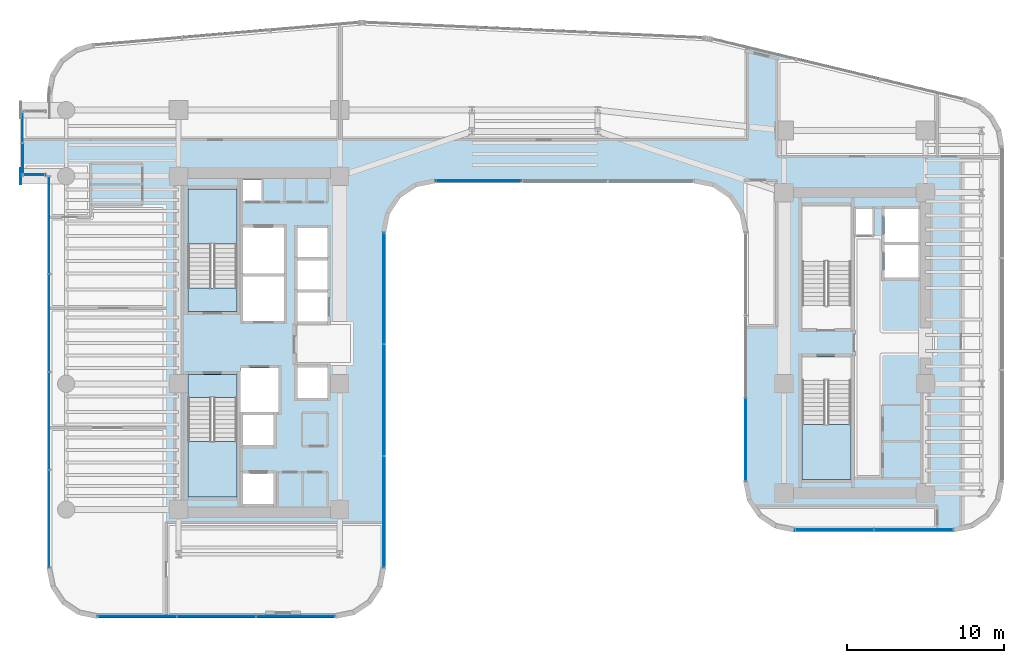
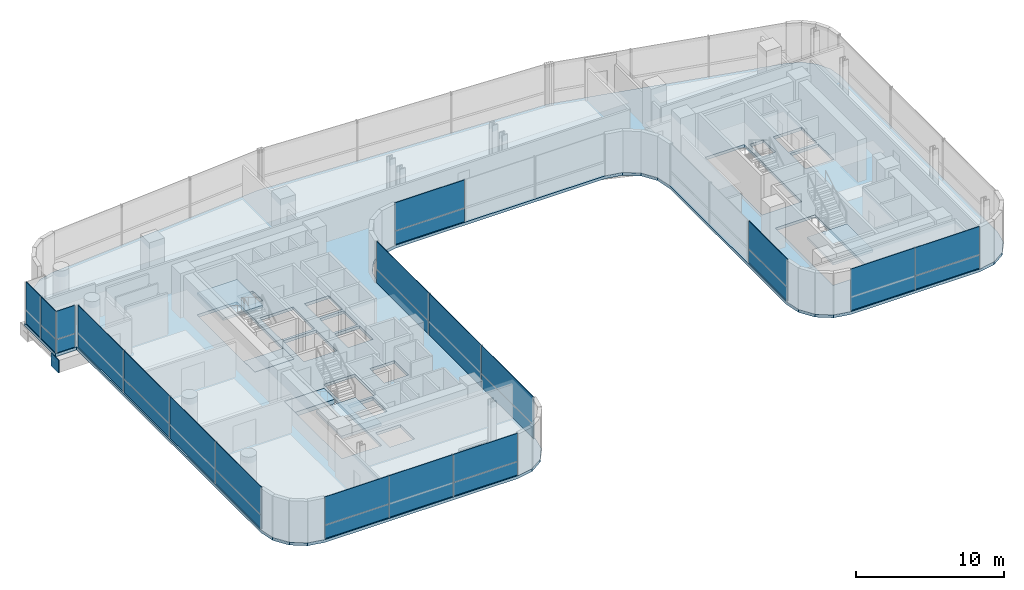
# One storey, part 25 of 35: 29 plates, 6 slabs, 11 elements without a shape of their own.
"""IFC4 building model written with IfcOpenShell, lengths in metres."""

from ifc_helpers import new_model, si_unit, direction, frame, origin, origin_2d, place, context, subcontext, project, spatial, polyline, rectangle, outline, extrude, source, transform, mapped, material, layer, layer_set, type_object, element, aggregate, save


model = new_model("IFC4")

# Units and contexts
model_context = context("Model", 3, precision=1e-05, world=origin(), true_north=direction((0.0, 1.0)))
body_context = subcontext(model_context, "Body", "Model", "MODEL_VIEW")
ifc_project = project(units=[si_unit("LENGTHUNIT", "METRE"), si_unit("AREAUNIT", "SQUARE_METRE"), si_unit("VOLUMEUNIT", "CUBIC_METRE"), si_unit("PLANEANGLEUNIT", "RADIAN"), si_unit("MASSUNIT", "GRAM", prefix="KILO")], contexts=[model_context])

# Site, building, storey
site_placement = place(None, origin())
site = spatial("IfcSite", under=ifc_project, at=site_placement, CompositionType="ELEMENT")
building_placement = place(site_placement, origin())
building = spatial("IfcBuilding", under=site, at=building_placement, Name="Valdorenza Pilgrim Sanctuary Tower", CompositionType="ELEMENT")
storey_placement = place(building_placement, frame((0.0, 0.0, 124.199951171875)))
storey = spatial("IfcBuildingStorey", under=building, at=storey_placement, Name="L31", CompositionType="ELEMENT", Elevation=124.199951171875)

# Slab
ifc_material_1 = material(Name="Concrete C40/50", Category="concrete")
ifc_layer_1 = layer(ifc_material_1, 0.239990234375, Name="Concrete C40/50")
ifc_layer_set_1 = layer_set([ifc_layer_1], Name="Concrete C40/50")
slab_type_1 = type_object("IfcSlabType", Name="SLAB-FLR-220", PredefinedType="FLOOR", material=ifc_layer_set_1)
slab_1_placement = place(storey_placement, frame((0.0, 0.0, -0.239990234375)))
element("IfcSlab", 1, at=slab_1_placement, inside=storey, type_object=slab_type_1, Name="L31 Structural Floor Slab 1", PredefinedType="FLOOR", context=body_context, shape_type="SweptSolid", body=[
    extrude(outline(polyline([(-30.78173828125, 17.022216796875), (-30.156494140625, 18.025390625), (-29.2099609375, 18.733154296875), (-28.071044921875, 19.049072265625), (-11.2080078125, 20.482421875), (-11.10400390625, 20.489501953125), (-10.895751953125, 20.49365234375), (10.6962890625, 19.513916015625), (10.847412109375, 19.50341796875), (10.998046875, 19.485595703125), (11.147705078125, 19.4609375), (11.2958984375, 19.42919921875), (27.344970703125, 15.587646484375), (28.323974609375, 15.17138671875), (29.1123046875, 14.45751953125), (29.623291015625, 13.5244140625), (29.800048828125, 12.4755859375), (29.800048828125, -8.800048828125), (29.556396484375, -10.024658203125), (28.86279296875, -11.062744140625), (27.82470703125, -11.75634765625), (26.60009765625, -12.0), (16.5, -12.0), (15.275390625, -11.75634765625), (14.2373046875, -11.062744140625), (13.543701171875, -10.024658203125), (13.300048828125, -8.800048828125), (13.300048828125, 7.0), (13.056396484375, 8.224609375), (12.36279296875, 9.2626953125), (11.32470703125, 9.956298828125), (10.10009765625, 10.199951171875), (-6.300048828125, 10.199951171875), (-7.524658203125, 9.956298828125), (-8.562744140625, 9.2626953125), (-9.25634765625, 8.224609375), (-9.5, 7.0), (-9.5, -14.300048828125), (-9.74365234375, -15.524658203125), (-10.437255859375, -16.562744140625), (-11.475341796875, -17.25634765625), (-12.699951171875, -17.5), (-27.800048828125, -17.5), (-29.024658203125, -17.25634765625), (-30.062744140625, -16.562744140625), (-30.75634765625, -15.524658203125), (-31.0, -14.300048828125), (-31.0, 10.60009765625), (-32.64990234375, 10.60009765625), (-32.64990234375, 14.800048828125), (-31.0, 14.800048828125), (-31.0, 15.860595703125), (-30.78173828125, 17.022216796875)]), holes=[polyline([(-16.60009765625, -10.25), (-16.60009765625, -8.300048828125), (-18.550048828125, -8.300048828125), (-18.550048828125, -10.25), (-16.60009765625, -10.25)]), polyline([(-22.050048828125, -9.800048828125), (-18.93994140625, -9.800048828125), (-18.93994140625, -3.485107421875), (-18.93994140625, -2.0), (-22.050048828125, -2.0), (-22.050048828125, -3.485107421875), (-22.050048828125, -9.800048828125)]), polyline([(-16.60009765625, -6.5), (-16.60009765625, -4.60009765625), (-18.550048828125, -4.60009765625), (-18.550048828125, -6.5), (-16.60009765625, -6.5)]), polyline([(-18.719970703125, -4.39990234375), (-16.300048828125, -4.39990234375), (-16.300048828125, -1.60009765625), (-18.719970703125, -1.60009765625), (-18.719970703125, -4.39990234375)]), polyline([(-13.179931640625, 1.35009765625), (-13.179931640625, 3.199951171875), (-15.10009765625, 3.199951171875), (-15.10009765625, 1.35009765625), (-13.179931640625, 1.35009765625)]), polyline([(-22.050048828125, 2.0), (-18.93994140625, 2.0), (-18.93994140625, 3.485107421875), (-18.93994140625, 9.800048828125), (-22.050048828125, 9.800048828125), (-22.050048828125, 3.485107421875), (-22.050048828125, 2.0)]), polyline([(-15.949951171875, 1.39990234375), (-15.949951171875, 4.22509765625), (-18.550048828125, 4.22509765625), (-18.550048828125, 1.39990234375), (-15.949951171875, 1.39990234375)]), polyline([(-18.550048828125, 4.425048828125), (-15.949951171875, 4.425048828125), (-15.949951171875, 7.35009765625), (-18.550048828125, 7.35009765625), (-18.550048828125, 4.425048828125)]), polyline([(-17.360107421875, 9.030029296875), (-17.360107421875, 10.35009765625), (-18.570068359375, 10.35009765625), (-18.570068359375, 9.030029296875), (-17.360107421875, 9.030029296875)]), polyline([(17.0, -8.699951171875), (20.110107421875, -8.699951171875), (20.110107421875, -2.385009765625), (20.110107421875, -0.89990234375), (17.0, -0.89990234375), (17.0, -2.385009765625), (17.0, -8.699951171875)]), polyline([(-13.179931640625, -3.5), (-13.179931640625, -1.550048828125), (-15.10009765625, -1.550048828125), (-15.10009765625, -3.5), (-13.179931640625, -3.5)]), polyline([(17.0, 0.89990234375), (20.110107421875, 0.89990234375), (20.110107421875, 2.385009765625), (20.110107421875, 8.699951171875), (17.0, 8.699951171875), (17.0, 2.385009765625), (17.0, 0.89990234375)]), polyline([(-13.179931640625, 3.39990234375), (-13.179931640625, 5.25), (-15.10009765625, 5.25), (-15.10009765625, 3.39990234375), (-13.179931640625, 3.39990234375)]), polyline([(22.25, 4.14990234375), (24.47998046875, 4.14990234375), (24.47998046875, 6.22509765625), (22.25, 6.22509765625), (22.25, 4.14990234375)]), polyline([(-13.179931640625, 5.449951171875), (-13.179931640625, 7.300048828125), (-15.10009765625, 7.300048828125), (-15.10009765625, 5.449951171875), (-13.179931640625, 5.449951171875)]), polyline([(22.25, 6.425048828125), (24.47998046875, 6.425048828125), (24.47998046875, 8.5), (22.25, 8.5), (22.25, 6.425048828125)]), polyline([(20.409912109375, 6.860107421875), (21.489990234375, 6.860107421875), (21.489990234375, 8.52001953125), (20.409912109375, 8.52001953125), (20.409912109375, 6.860107421875)])]), origin(), (0.0, 0.0, 1.0), 0.239990234375),
])

# Stair, slab
stair_type = type_object("IfcStairType", Name="STR-DOG-CORE", PredefinedType="HALF_TURN_STAIR", material=ifc_material_1)
stair_1_placement = place(storey_placement, origin())
stair_1 = element("IfcStair", 2, at=stair_1_placement, inside=storey, type_object=stair_type, Name="L31 ST-A1", PredefinedType="HALF_TURN_STAIR")
ifc_layer_2 = layer(ifc_material_1, 0.199951171875, Name="Concrete C40/50")
ifc_layer_set_2 = layer_set([ifc_layer_2], Name="Concrete C40/50")
slab_type_2 = type_object("IfcSlabType", Name="SLAB-STL-200", PredefinedType="LANDING", material=ifc_layer_set_2)
slab_2_placement = place(storey_placement, frame((0.0, 0.0, 1.650146484375)))
slab_2 = element("IfcSlab", 3, at=slab_2_placement, type_object=slab_type_2, Name="ST-A1 landing 1", PredefinedType="LANDING", context=body_context, shape_type="SweptSolid", body=[
    extrude(outline(polyline([(-18.93994140625, 6.280029296875), (-18.93994140625, 9.800048828125), (-22.050048828125, 9.800048828125), (-22.050048828125, 6.280029296875), (-18.93994140625, 6.280029296875)])), origin(), (0.0, 0.0, 1.0), 0.199951171875),
])
aggregate(stair_1, [slab_2])

stair_2_placement = place(storey_placement, origin())
stair_2 = element("IfcStair", 4, at=stair_2_placement, inside=storey, type_object=stair_type, Name="L31 ST-A2", PredefinedType="HALF_TURN_STAIR")
slab_3_placement = place(storey_placement, frame((0.0, 0.0, 1.650146484375)))
slab_3 = element("IfcSlab", 5, at=slab_3_placement, type_object=slab_type_2, Name="ST-A2 landing 1", PredefinedType="LANDING", context=body_context, shape_type="SweptSolid", body=[
    extrude(outline(polyline([(-22.050048828125, -6.280029296875), (-22.050048828125, -9.800048828125), (-18.93994140625, -9.800048828125), (-18.93994140625, -6.280029296875), (-22.050048828125, -6.280029296875)])), origin(), (0.0, 0.0, 1.0), 0.199951171875),
])
aggregate(stair_2, [slab_3])

stair_3_placement = place(storey_placement, origin())
stair_3 = element("IfcStair", 6, at=stair_3_placement, inside=storey, type_object=stair_type, Name="L31 ST-B2", PredefinedType="HALF_TURN_STAIR")
slab_4_placement = place(storey_placement, frame((0.0, 0.0, 1.650146484375)))
slab_4 = element("IfcSlab", 7, at=slab_4_placement, type_object=slab_type_2, Name="ST-B2 landing 1", PredefinedType="LANDING", context=body_context, shape_type="SweptSolid", body=[
    extrude(outline(polyline([(17.0, -5.179931640625), (17.0, -8.699951171875), (20.110107421875, -8.699951171875), (20.110107421875, -5.179931640625), (17.0, -5.179931640625)])), origin(), (0.0, 0.0, 1.0), 0.199951171875),
])
aggregate(stair_3, [slab_4])

# Slabs
ifc_material_2 = material(Name="Concrete C50/60", Category="concrete")
ifc_layer_3 = layer(ifc_material_2, 0.39990234375, Name="Concrete C50/60")
ifc_layer_set_3 = layer_set([ifc_layer_3], Name="Concrete C50/60")
slab_type_3 = type_object("IfcSlabType", Name="SLAB-TRF-400", PredefinedType="FLOOR", material=ifc_layer_set_3)
slab_5_placement = place(storey_placement, frame((0.0, 0.0, -0.35986328125)))
element("IfcSlab", 8, at=slab_5_placement, inside=storey, type_object=slab_type_3, Name="L31 ST-A1 Structural Stair Landing Bearing Slab", PredefinedType="FLOOR", context=body_context, shape_type="SweptSolid", body=[
    extrude(outline(polyline([(-22.050048828125, 2.0), (-18.93994140625, 2.0), (-18.93994140625, 3.485107421875), (-22.050048828125, 3.485107421875), (-22.050048828125, 2.0)])), origin(), (0.0, 0.0, 1.0), 0.35986328125),
])
slab_6_placement = place(storey_placement, frame((0.0, 0.0, -0.35986328125)))
element("IfcSlab", 9, at=slab_6_placement, inside=storey, type_object=slab_type_3, Name="L31 ST-A2 Structural Stair Landing Bearing Slab", PredefinedType="FLOOR", context=body_context, shape_type="SweptSolid", body=[
    extrude(outline(polyline([(-22.050048828125, -3.485107421875), (-18.93994140625, -3.485107421875), (-18.93994140625, -2.0), (-22.050048828125, -2.0), (-22.050048828125, -3.485107421875)])), origin(), (0.0, 0.0, 1.0), 0.35986328125),
])

# Plate
ifc_material_3 = material(Name="Steel ASTM A572 Grade 42", Category="steel")
ifc_layer_4 = layer(ifc_material_3, 0.06005859375, Name="Steel ASTM A572 Grade 42")
ifc_layer_set_4 = layer_set([ifc_layer_4], Name="Steel ASTM A572 Grade 42")
plate_type_1 = type_object("IfcPlateType", Name="PLT-CAP-60", PredefinedType="SHEET", material=ifc_layer_set_4)
shared_shape_1 = source(origin(), body_context, "Body", "SweptSolid", [
    extrude(rectangle(XDim=0.06005859375, YDim=1.0400390625, at=origin_2d()), origin(), (0.0, 0.0, 1.0), 1.0400390625),
])
plate_1_placement = place(storey_placement, frame((-32.679931640625, 10.60009765625, -1.260009765625), z_axis=(0.0, 0.0, 1.0), x_axis=(1.0, 0.0, 0.0)))
element("IfcPlate", 10, at=plate_1_placement, inside=storey, type_object=plate_type_1, Name="L31 BOX-WA-L31 Cantilever Tip End Cap S", PredefinedType="SHEET", context=body_context, shape_type="MappedRepresentation", body=[
    mapped(shared_shape_1, transform((0.0, 0.0, 0.0), x_axis=(1.0, 0.0, 0.0), y_axis=(0.0, 1.0, 0.0), z_axis=(0.0, 0.0, 1.0), scale=1.0)),
])

# Curtain wall, plates
ifc_material_4 = material(Name="Curtain-wall IGU glazing", Category="glass")
curtain_wall_type_1 = type_object("IfcCurtainWallType", Name="CW-SYS-02", PredefinedType="NOTDEFINED", material=ifc_material_4)
curtain_wall_1_placement = place(storey_placement, origin())
curtain_wall_1 = element("IfcCurtainWall", 11, at=curtain_wall_1_placement, inside=storey, type_object=curtain_wall_type_1, Name="L31 Curtain Wall CW-L31-1-36", PredefinedType="NOTDEFINED")
ifc_material_5 = material(Name="Honed travertine limestone", Category="masonry")
ifc_layer_5 = layer(ifc_material_5, 0.050048828125, Name="Honed travertine limestone")
ifc_layer_set_5 = layer_set([ifc_layer_5], Name="Honed travertine limestone")
plate_type_2 = type_object("IfcPlateType", Name="CW-SPN-TRV", PredefinedType="USERDEFINED", material=ifc_layer_set_5)
shared_shape_2 = source(origin(), body_context, "Body", "SweptSolid", [
    extrude(rectangle(XDim=5.453857421875, YDim=0.06005859375, at=origin_2d()), origin(), (0.0, 0.0, 1.0), 1.10009765625),
])
plate_2_placement = place(storey_placement, frame((-3.573974609375, 10.31005859375, 0.010009765625), z_axis=(0.0, 0.0, 1.0), x_axis=(-1.0, 0.0, 0.0)))
plate_2 = element("IfcPlate", 12, at=plate_2_placement, type_object=plate_type_2, Name="CW-L31-1-36 Travertine Spandrel 3", ObjectType="SPANDREL", PredefinedType="USERDEFINED", context=body_context, shape_type="MappedRepresentation", body=[
    mapped(shared_shape_2, transform((0.0, 0.0, 0.0), x_axis=(1.0, 0.0, 0.0), y_axis=(0.0, 1.0, 0.0), z_axis=(0.0, 0.0, 1.0), scale=1.0)),
])
ifc_material_6 = material(Name="Ceramic-fritted low-E IGU glazing", Category="glass")
ifc_layer_6 = layer(ifc_material_6, 0.035888671875, Name="Ceramic-fritted low-E IGU glazing")
ifc_layer_set_6 = layer_set([ifc_layer_6], Name="Ceramic-fritted low-E IGU glazing")
plate_type_3 = type_object("IfcPlateType", Name="CW-GLZ-IGU", PredefinedType="USERDEFINED", material=ifc_layer_set_6)
shared_shape_3 = source(origin(), body_context, "Body", "SweptSolid", [
    extrude(rectangle(XDim=5.453857421875, YDim=0.050048828125, at=origin_2d()), origin(), (0.0, 0.0, 1.0), 2.320068359375),
])
plate_3_placement = place(storey_placement, frame((-3.573974609375, 10.31005859375, 1.1298828125), z_axis=(0.0, 0.0, 1.0), x_axis=(-1.0, 0.0, 0.0)))
plate_3 = element("IfcPlate", 13, at=plate_3_placement, type_object=plate_type_3, Name="CW-L31-1-36 Facade Panel 3", ObjectType="GLAZING", PredefinedType="USERDEFINED", context=body_context, shape_type="MappedRepresentation", body=[
    mapped(shared_shape_3, transform((0.0, 0.0, 0.0), x_axis=(1.0, 0.0, 0.0), y_axis=(0.0, 1.0, 0.0), z_axis=(0.0, 0.0, 1.0), scale=1.0)),
])
aggregate(curtain_wall_1, [plate_2, plate_3])

curtain_wall_2_placement = place(storey_placement, origin())
curtain_wall_2 = element("IfcCurtainWall", 14, at=curtain_wall_2_placement, inside=storey, type_object=curtain_wall_type_1, Name="L31 Curtain Wall CW-L31-BOX-WA-L31-S", PredefinedType="NOTDEFINED")
shared_shape_4 = source(origin(), body_context, "Body", "SweptSolid", [
    extrude(rectangle(XDim=1.43994140625, YDim=0.06005859375, at=origin_2d()), origin(), (0.0, 0.0, 1.0), 1.10009765625),
])
plate_4_placement = place(storey_placement, frame((-31.840087890625, 10.679931640625, 0.010009765625), z_axis=(0.0, 0.0, 1.0), x_axis=(-1.0, 0.0, 0.0)))
plate_4 = element("IfcPlate", 15, at=plate_4_placement, type_object=plate_type_2, Name="CW-L31-BOX-WA-L31-S Travertine Spandrel 1", ObjectType="SPANDREL", PredefinedType="USERDEFINED", context=body_context, shape_type="MappedRepresentation", body=[
    mapped(shared_shape_4, transform((0.0, 0.0, 0.0), x_axis=(1.0, 0.0, 0.0), y_axis=(0.0, 1.0, 0.0), z_axis=(0.0, 0.0, 1.0), scale=1.0)),
])
shared_shape_5 = source(origin(), body_context, "Body", "SweptSolid", [
    extrude(rectangle(XDim=1.43994140625, YDim=0.050048828125, at=origin_2d()), origin(), (0.0, 0.0, 1.0), 2.320068359375),
])
plate_5_placement = place(storey_placement, frame((-31.840087890625, 10.679931640625, 1.1298828125), z_axis=(0.0, 0.0, 1.0), x_axis=(-1.0, 0.0, 0.0)))
plate_5 = element("IfcPlate", 16, at=plate_5_placement, type_object=plate_type_3, Name="CW-L31-BOX-WA-L31-S Facade Panel 1", ObjectType="GLAZING", PredefinedType="USERDEFINED", context=body_context, shape_type="MappedRepresentation", body=[
    mapped(shared_shape_5, transform((0.0, 0.0, 0.0), x_axis=(1.0, 0.0, 0.0), y_axis=(0.0, 1.0, 0.0), z_axis=(0.0, 0.0, 1.0), scale=1.0)),
])
aggregate(curtain_wall_2, [plate_4, plate_5])

curtain_wall_3_placement = place(storey_placement, origin())
curtain_wall_3 = element("IfcCurtainWall", 17, at=curtain_wall_3_placement, inside=storey, type_object=curtain_wall_type_1, Name="L31 Curtain Wall CW-L31-BOX-WA-L31-F", PredefinedType="NOTDEFINED")
shared_shape_6 = source(origin(), body_context, "Body", "SweptSolid", [
    extrude(rectangle(XDim=2.0, YDim=0.06005859375, at=origin_2d()), origin(), (0.0, 0.0, 1.0), 1.10009765625),
])
plate_6_placement = place(storey_placement, frame((-32.570068359375, 11.68994140625, 0.010009765625), z_axis=(0.0, 0.0, 1.0), x_axis=(0.0, 1.0, 0.0)))
plate_6 = element("IfcPlate", 18, at=plate_6_placement, type_object=plate_type_2, Name="CW-L31-BOX-WA-L31-F Travertine Spandrel 1", ObjectType="SPANDREL", PredefinedType="USERDEFINED", context=body_context, shape_type="MappedRepresentation", body=[
    mapped(shared_shape_6, transform((0.0, 0.0, 0.0), x_axis=(1.0, 0.0, 0.0), y_axis=(0.0, 1.0, 0.0), z_axis=(0.0, 0.0, 1.0), scale=1.0)),
])
shared_shape_7 = source(origin(), body_context, "Body", "SweptSolid", [
    extrude(rectangle(XDim=2.0, YDim=0.050048828125, at=origin_2d()), origin(), (0.0, 0.0, 1.0), 2.320068359375),
])
plate_7_placement = place(storey_placement, frame((-32.570068359375, 11.68994140625, 1.1298828125), z_axis=(0.0, 0.0, 1.0), x_axis=(0.0, 1.0, 0.0)))
plate_7 = element("IfcPlate", 19, at=plate_7_placement, type_object=plate_type_3, Name="CW-L31-BOX-WA-L31-F Facade Panel 1", ObjectType="GLAZING", PredefinedType="USERDEFINED", context=body_context, shape_type="MappedRepresentation", body=[
    mapped(shared_shape_7, transform((0.0, 0.0, 0.0), x_axis=(1.0, 0.0, 0.0), y_axis=(0.0, 1.0, 0.0), z_axis=(0.0, 0.0, 1.0), scale=1.0)),
])
shared_shape_8 = source(origin(), body_context, "Body", "SweptSolid", [
    extrude(rectangle(XDim=2.0, YDim=0.050048828125, at=origin_2d()), origin(), (0.0, 0.0, 1.0), 3.43994140625),
])
plate_8_placement = place(storey_placement, frame((-32.570068359375, 13.7099609375, 0.010009765625), z_axis=(0.0, 0.0, 1.0), x_axis=(0.0, 1.0, 0.0)))
plate_8 = element("IfcPlate", 20, at=plate_8_placement, type_object=plate_type_3, Name="CW-L31-BOX-WA-L31-F Full-Height Facade Panel 2", ObjectType="GLAZING", PredefinedType="USERDEFINED", context=body_context, shape_type="MappedRepresentation", body=[
    mapped(shared_shape_8, transform((0.0, 0.0, 0.0), x_axis=(1.0, 0.0, 0.0), y_axis=(0.0, 1.0, 0.0), z_axis=(0.0, 0.0, 1.0), scale=1.0)),
])
aggregate(curtain_wall_3, [plate_6, plate_7, plate_8])

# Curtain wall, plate
curtain_wall_type_2 = type_object("IfcCurtainWallType", Name="CW-SYS-03", PredefinedType="NOTDEFINED", material=ifc_material_4)
curtain_wall_4_placement = place(storey_placement, origin())
curtain_wall_4 = element("IfcCurtainWall", 21, at=curtain_wall_4_placement, inside=storey, type_object=curtain_wall_type_2, Name="L31 Curtain Wall CW-L31-1-26", PredefinedType="NOTDEFINED")
shared_shape_9 = source(origin(), body_context, "Body", "SweptSolid", [
    extrude(rectangle(XDim=5.019287109375, YDim=0.06005859375, at=origin_2d()), origin(), (0.0, 0.0, 1.0), 1.10009765625),
])
plate_9_placement = place(storey_placement, frame((24.069580078125, -11.889892578125, 0.010009765625), z_axis=(0.0, 0.0, 1.0), x_axis=(-1.0, 0.0, 0.0)))
plate_9 = element("IfcPlate", 22, at=plate_9_placement, type_object=plate_type_2, Name="CW-L31-1-26 Travertine Spandrel 1", ObjectType="SPANDREL", PredefinedType="USERDEFINED", context=body_context, shape_type="MappedRepresentation", body=[
    mapped(shared_shape_9, transform((0.0, 0.0, 0.0), x_axis=(1.0, 0.0, 0.0), y_axis=(0.0, 1.0, 0.0), z_axis=(0.0, 0.0, 1.0), scale=1.0)),
])

curtain_wall_5_placement = place(storey_placement, origin())
curtain_wall_5 = element("IfcCurtainWall", 23, at=curtain_wall_5_placement, inside=storey, type_object=curtain_wall_type_2, Name="L31 Curtain Wall CW-L31-1-31", PredefinedType="NOTDEFINED")
shared_shape_10 = source(origin(), body_context, "Body", "SweptSolid", [
    extrude(rectangle(XDim=5.24658203125, YDim=0.06005859375, at=origin_2d()), origin(), (0.0, 0.0, 1.0), 1.10009765625),
])
plate_10_placement = place(storey_placement, frame((13.409912109375, -6.156005859375, 0.010009765625), z_axis=(0.0, 0.0, 1.0), x_axis=(0.0, 1.0, 0.0)))
plate_10 = element("IfcPlate", 24, at=plate_10_placement, type_object=plate_type_2, Name="CW-L31-1-31 Travertine Spandrel 1", ObjectType="SPANDREL", PredefinedType="USERDEFINED", context=body_context, shape_type="MappedRepresentation", body=[
    mapped(shared_shape_10, transform((0.0, 0.0, 0.0), x_axis=(1.0, 0.0, 0.0), y_axis=(0.0, 1.0, 0.0), z_axis=(0.0, 0.0, 1.0), scale=1.0)),
])

# Curtain wall, plates
curtain_wall_6_placement = place(storey_placement, origin())
curtain_wall_6 = element("IfcCurtainWall", 25, at=curtain_wall_6_placement, inside=storey, type_object=curtain_wall_type_1, Name="L31 Curtain Wall CW-L31-1-41", PredefinedType="NOTDEFINED")
shared_shape_11 = source(origin(), body_context, "Body", "SweptSolid", [
    extrude(rectangle(XDim=7.080078125, YDim=0.06005859375, at=origin_2d()), origin(), (0.0, 0.0, 1.0), 1.10009765625),
])
plate_11_placement = place(storey_placement, frame((-9.610107421875, 3.460693359375, 0.010009765625), z_axis=(0.0, 0.0, 1.0), x_axis=(0.0, -1.0, 0.0)))
plate_11 = element("IfcPlate", 26, at=plate_11_placement, type_object=plate_type_2, Name="CW-L31-1-41 Travertine Spandrel 1", ObjectType="SPANDREL", PredefinedType="USERDEFINED", context=body_context, shape_type="MappedRepresentation", body=[
    mapped(shared_shape_11, transform((0.0, 0.0, 0.0), x_axis=(1.0, 0.0, 0.0), y_axis=(0.0, 1.0, 0.0), z_axis=(0.0, 0.0, 1.0), scale=1.0)),
])
plate_12_placement = place(storey_placement, frame((-9.610107421875, -10.7392578125, 0.010009765625), z_axis=(0.0, 0.0, 1.0), x_axis=(0.0, -1.0, 0.0)))
plate_12 = element("IfcPlate", 27, at=plate_12_placement, type_object=plate_type_2, Name="CW-L31-1-41 Travertine Spandrel 3", ObjectType="SPANDREL", PredefinedType="USERDEFINED", context=body_context, shape_type="MappedRepresentation", body=[
    mapped(shared_shape_11, transform((0.0, 0.0, 0.0), x_axis=(1.0, 0.0, 0.0), y_axis=(0.0, 1.0, 0.0), z_axis=(0.0, 0.0, 1.0), scale=1.0)),
])

# Plate
shared_shape_12 = source(origin(), body_context, "Body", "SweptSolid", [
    extrude(rectangle(XDim=5.019287109375, YDim=0.050048828125, at=origin_2d()), origin(), (0.0, 0.0, 1.0), 2.320068359375),
])
plate_13_placement = place(storey_placement, frame((24.069580078125, -11.889892578125, 1.1298828125), z_axis=(0.0, 0.0, 1.0), x_axis=(-1.0, 0.0, 0.0)))
plate_13 = element("IfcPlate", 28, at=plate_13_placement, type_object=plate_type_3, Name="CW-L31-1-26 Facade Panel 1", ObjectType="GLAZING", PredefinedType="USERDEFINED", context=body_context, shape_type="MappedRepresentation", body=[
    mapped(shared_shape_12, transform((0.0, 0.0, 0.0), x_axis=(1.0, 0.0, 0.0), y_axis=(0.0, 1.0, 0.0), z_axis=(0.0, 0.0, 1.0), scale=1.0)),
])

shared_shape_13 = source(origin(), body_context, "Body", "SweptSolid", [
    extrude(rectangle(XDim=5.019287109375, YDim=0.050048828125, at=origin_2d()), origin(), (0.0, 0.0, 1.0), 3.43994140625),
])
plate_14_placement = place(storey_placement, frame((19.030517578125, -11.889892578125, 0.010009765625), z_axis=(0.0, 0.0, 1.0), x_axis=(-1.0, 0.0, 0.0)))
plate_14 = element("IfcPlate", 29, at=plate_14_placement, type_object=plate_type_3, Name="CW-L31-1-26 Full-Height Facade Panel 2", ObjectType="GLAZING", PredefinedType="USERDEFINED", context=body_context, shape_type="MappedRepresentation", body=[
    mapped(shared_shape_13, transform((0.0, 0.0, 0.0), x_axis=(1.0, 0.0, 0.0), y_axis=(0.0, 1.0, 0.0), z_axis=(0.0, 0.0, 1.0), scale=1.0)),
])

aggregate(curtain_wall_4, [plate_9, plate_13, plate_14])

shared_shape_14 = source(origin(), body_context, "Body", "SweptSolid", [
    extrude(rectangle(XDim=5.24658203125, YDim=0.050048828125, at=origin_2d()), origin(), (0.0, 0.0, 1.0), 2.320068359375),
])
plate_15_placement = place(storey_placement, frame((13.409912109375, -6.156005859375, 1.1298828125), z_axis=(0.0, 0.0, 1.0), x_axis=(0.0, 1.0, 0.0)))
plate_15 = element("IfcPlate", 30, at=plate_15_placement, type_object=plate_type_3, Name="CW-L31-1-31 Facade Panel 1", ObjectType="GLAZING", PredefinedType="USERDEFINED", context=body_context, shape_type="MappedRepresentation", body=[
    mapped(shared_shape_14, transform((0.0, 0.0, 0.0), x_axis=(1.0, 0.0, 0.0), y_axis=(0.0, 1.0, 0.0), z_axis=(0.0, 0.0, 1.0), scale=1.0)),
])

aggregate(curtain_wall_5, [plate_10, plate_15])

shared_shape_15 = source(origin(), body_context, "Body", "SweptSolid", [
    extrude(rectangle(XDim=7.080078125, YDim=0.050048828125, at=origin_2d()), origin(), (0.0, 0.0, 1.0), 2.320068359375),
])
plate_16_placement = place(storey_placement, frame((-9.610107421875, 3.460693359375, 1.1298828125), z_axis=(0.0, 0.0, 1.0), x_axis=(0.0, -1.0, 0.0)))
plate_16 = element("IfcPlate", 31, at=plate_16_placement, type_object=plate_type_3, Name="CW-L31-1-41 Facade Panel 1", ObjectType="GLAZING", PredefinedType="USERDEFINED", context=body_context, shape_type="MappedRepresentation", body=[
    mapped(shared_shape_15, transform((0.0, 0.0, 0.0), x_axis=(1.0, 0.0, 0.0), y_axis=(0.0, 1.0, 0.0), z_axis=(0.0, 0.0, 1.0), scale=1.0)),
])

plate_17_placement = place(storey_placement, frame((-9.610107421875, -10.7392578125, 1.1298828125), z_axis=(0.0, 0.0, 1.0), x_axis=(0.0, -1.0, 0.0)))
plate_17 = element("IfcPlate", 32, at=plate_17_placement, type_object=plate_type_3, Name="CW-L31-1-41 Facade Panel 3", ObjectType="GLAZING", PredefinedType="USERDEFINED", context=body_context, shape_type="MappedRepresentation", body=[
    mapped(shared_shape_15, transform((0.0, 0.0, 0.0), x_axis=(1.0, 0.0, 0.0), y_axis=(0.0, 1.0, 0.0), z_axis=(0.0, 0.0, 1.0), scale=1.0)),
])

shared_shape_16 = source(origin(), body_context, "Body", "SweptSolid", [
    extrude(rectangle(XDim=7.080078125, YDim=0.050048828125, at=origin_2d()), origin(), (0.0, 0.0, 1.0), 3.43994140625),
])
plate_18_placement = place(storey_placement, frame((-9.610107421875, -3.63916015625, 0.010009765625), z_axis=(0.0, 0.0, 1.0), x_axis=(0.0, -1.0, 0.0)))
plate_18 = element("IfcPlate", 33, at=plate_18_placement, type_object=plate_type_3, Name="CW-L31-1-41 Full-Height Facade Panel 2", ObjectType="GLAZING", PredefinedType="USERDEFINED", context=body_context, shape_type="MappedRepresentation", body=[
    mapped(shared_shape_16, transform((0.0, 0.0, 0.0), x_axis=(1.0, 0.0, 0.0), y_axis=(0.0, 1.0, 0.0), z_axis=(0.0, 0.0, 1.0), scale=1.0)),
])

aggregate(curtain_wall_6, [plate_11, plate_16, plate_18, plate_12, plate_17])

# Curtain wall, plates
curtain_wall_7_placement = place(storey_placement, origin())
curtain_wall_7 = element("IfcCurtainWall", 34, at=curtain_wall_7_placement, inside=storey, type_object=curtain_wall_type_1, Name="L31 Curtain Wall CW-L31-1-46", PredefinedType="NOTDEFINED")
shared_shape_17 = source(origin(), body_context, "Body", "SweptSolid", [
    extrude(rectangle(XDim=5.006103515625, YDim=0.06005859375, at=origin_2d()), origin(), (0.0, 0.0, 1.0), 1.10009765625),
])
plate_19_placement = place(storey_placement, frame((-15.223876953125, -17.389892578125, 0.010009765625), z_axis=(0.0, 0.0, 1.0), x_axis=(-1.0, 0.0, 0.0)))
plate_19 = element("IfcPlate", 35, at=plate_19_placement, type_object=plate_type_2, Name="CW-L31-1-46 Travertine Spandrel 1", ObjectType="SPANDREL", PredefinedType="USERDEFINED", context=body_context, shape_type="MappedRepresentation", body=[
    mapped(shared_shape_17, transform((0.0, 0.0, 0.0), x_axis=(1.0, 0.0, 0.0), y_axis=(0.0, 1.0, 0.0), z_axis=(0.0, 0.0, 1.0), scale=1.0)),
])
plate_20_placement = place(storey_placement, frame((-25.276123046875, -17.389892578125, 0.010009765625), z_axis=(0.0, 0.0, 1.0), x_axis=(-1.0, 0.0, 0.0)))
plate_20 = element("IfcPlate", 36, at=plate_20_placement, type_object=plate_type_2, Name="CW-L31-1-46 Travertine Spandrel 3", ObjectType="SPANDREL", PredefinedType="USERDEFINED", context=body_context, shape_type="MappedRepresentation", body=[
    mapped(shared_shape_17, transform((0.0, 0.0, 0.0), x_axis=(1.0, 0.0, 0.0), y_axis=(0.0, 1.0, 0.0), z_axis=(0.0, 0.0, 1.0), scale=1.0)),
])
shared_shape_18 = source(origin(), body_context, "Body", "SweptSolid", [
    extrude(rectangle(XDim=5.006103515625, YDim=0.050048828125, at=origin_2d()), origin(), (0.0, 0.0, 1.0), 2.320068359375),
])
plate_21_placement = place(storey_placement, frame((-15.223876953125, -17.389892578125, 1.1298828125), z_axis=(0.0, 0.0, 1.0), x_axis=(-1.0, 0.0, 0.0)))
plate_21 = element("IfcPlate", 37, at=plate_21_placement, type_object=plate_type_3, Name="CW-L31-1-46 Facade Panel 1", ObjectType="GLAZING", PredefinedType="USERDEFINED", context=body_context, shape_type="MappedRepresentation", body=[
    mapped(shared_shape_18, transform((0.0, 0.0, 0.0), x_axis=(1.0, 0.0, 0.0), y_axis=(0.0, 1.0, 0.0), z_axis=(0.0, 0.0, 1.0), scale=1.0)),
])
plate_22_placement = place(storey_placement, frame((-25.276123046875, -17.389892578125, 1.1298828125), z_axis=(0.0, 0.0, 1.0), x_axis=(-1.0, 0.0, 0.0)))
plate_22 = element("IfcPlate", 38, at=plate_22_placement, type_object=plate_type_3, Name="CW-L31-1-46 Facade Panel 3", ObjectType="GLAZING", PredefinedType="USERDEFINED", context=body_context, shape_type="MappedRepresentation", body=[
    mapped(shared_shape_18, transform((0.0, 0.0, 0.0), x_axis=(1.0, 0.0, 0.0), y_axis=(0.0, 1.0, 0.0), z_axis=(0.0, 0.0, 1.0), scale=1.0)),
])
shared_shape_19 = source(origin(), body_context, "Body", "SweptSolid", [
    extrude(rectangle(XDim=5.006103515625, YDim=0.050048828125, at=origin_2d()), origin(), (0.0, 0.0, 1.0), 3.43994140625),
])
plate_23_placement = place(storey_placement, frame((-20.25, -17.389892578125, 0.010009765625), z_axis=(0.0, 0.0, 1.0), x_axis=(-1.0, 0.0, 0.0)))
plate_23 = element("IfcPlate", 39, at=plate_23_placement, type_object=plate_type_3, Name="CW-L31-1-46 Full-Height Facade Panel 2", ObjectType="GLAZING", PredefinedType="USERDEFINED", context=body_context, shape_type="MappedRepresentation", body=[
    mapped(shared_shape_19, transform((0.0, 0.0, 0.0), x_axis=(1.0, 0.0, 0.0), y_axis=(0.0, 1.0, 0.0), z_axis=(0.0, 0.0, 1.0), scale=1.0)),
])
aggregate(curtain_wall_7, [plate_19, plate_21, plate_23, plate_20, plate_22])

curtain_wall_8_placement = place(storey_placement, origin())
curtain_wall_8 = element("IfcCurtainWall", 40, at=curtain_wall_8_placement, inside=storey, type_object=curtain_wall_type_1, Name="L31 Curtain Wall CW-L31-1-1S1", PredefinedType="NOTDEFINED")
shared_shape_20 = source(origin(), body_context, "Body", "SweptSolid", [
    extrude(rectangle(XDim=6.202392578125, YDim=0.06005859375, at=origin_2d()), origin(), (0.0, 0.0, 1.0), 1.10009765625),
])
plate_24_placement = place(storey_placement, frame((-30.889892578125, -11.177978515625, 0.010009765625), z_axis=(0.0, 0.0, 1.0), x_axis=(0.0, 1.0, 0.0)))
plate_24 = element("IfcPlate", 41, at=plate_24_placement, type_object=plate_type_2, Name="CW-L31-1-1S1 Travertine Spandrel 1", ObjectType="SPANDREL", PredefinedType="USERDEFINED", context=body_context, shape_type="MappedRepresentation", body=[
    mapped(shared_shape_20, transform((0.0, 0.0, 0.0), x_axis=(1.0, 0.0, 0.0), y_axis=(0.0, 1.0, 0.0), z_axis=(0.0, 0.0, 1.0), scale=1.0)),
])
plate_25_placement = place(storey_placement, frame((-30.889892578125, 1.2666015625, 0.010009765625), z_axis=(0.0, 0.0, 1.0), x_axis=(0.0, 1.0, 0.0)))
plate_25 = element("IfcPlate", 42, at=plate_25_placement, type_object=plate_type_2, Name="CW-L31-1-1S1 Travertine Spandrel 3", ObjectType="SPANDREL", PredefinedType="USERDEFINED", context=body_context, shape_type="MappedRepresentation", body=[
    mapped(shared_shape_20, transform((0.0, 0.0, 0.0), x_axis=(1.0, 0.0, 0.0), y_axis=(0.0, 1.0, 0.0), z_axis=(0.0, 0.0, 1.0), scale=1.0)),
])
shared_shape_21 = source(origin(), body_context, "Body", "SweptSolid", [
    extrude(rectangle(XDim=6.202392578125, YDim=0.050048828125, at=origin_2d()), origin(), (0.0, 0.0, 1.0), 2.320068359375),
])
plate_26_placement = place(storey_placement, frame((-30.889892578125, -11.177978515625, 1.1298828125), z_axis=(0.0, 0.0, 1.0), x_axis=(0.0, 1.0, 0.0)))
plate_26 = element("IfcPlate", 43, at=plate_26_placement, type_object=plate_type_3, Name="CW-L31-1-1S1 Facade Panel 1", ObjectType="GLAZING", PredefinedType="USERDEFINED", context=body_context, shape_type="MappedRepresentation", body=[
    mapped(shared_shape_21, transform((0.0, 0.0, 0.0), x_axis=(1.0, 0.0, 0.0), y_axis=(0.0, 1.0, 0.0), z_axis=(0.0, 0.0, 1.0), scale=1.0)),
])
plate_27_placement = place(storey_placement, frame((-30.889892578125, 1.2666015625, 1.1298828125), z_axis=(0.0, 0.0, 1.0), x_axis=(0.0, 1.0, 0.0)))
plate_27 = element("IfcPlate", 44, at=plate_27_placement, type_object=plate_type_3, Name="CW-L31-1-1S1 Facade Panel 3", ObjectType="GLAZING", PredefinedType="USERDEFINED", context=body_context, shape_type="MappedRepresentation", body=[
    mapped(shared_shape_21, transform((0.0, 0.0, 0.0), x_axis=(1.0, 0.0, 0.0), y_axis=(0.0, 1.0, 0.0), z_axis=(0.0, 0.0, 1.0), scale=1.0)),
])
shared_shape_22 = source(origin(), body_context, "Body", "SweptSolid", [
    extrude(rectangle(XDim=6.202392578125, YDim=0.050048828125, at=origin_2d()), origin(), (0.0, 0.0, 1.0), 3.43994140625),
])
plate_28_placement = place(storey_placement, frame((-30.889892578125, -4.955810546875, 0.010009765625), z_axis=(0.0, 0.0, 1.0), x_axis=(0.0, 1.0, 0.0)))
plate_28 = element("IfcPlate", 45, at=plate_28_placement, type_object=plate_type_3, Name="CW-L31-1-1S1 Full-Height Facade Panel 2", ObjectType="GLAZING", PredefinedType="USERDEFINED", context=body_context, shape_type="MappedRepresentation", body=[
    mapped(shared_shape_22, transform((0.0, 0.0, 0.0), x_axis=(1.0, 0.0, 0.0), y_axis=(0.0, 1.0, 0.0), z_axis=(0.0, 0.0, 1.0), scale=1.0)),
])
plate_29_placement = place(storey_placement, frame((-30.889892578125, 7.489013671875, 0.010009765625), z_axis=(0.0, 0.0, 1.0), x_axis=(0.0, 1.0, 0.0)))
plate_29 = element("IfcPlate", 46, at=plate_29_placement, type_object=plate_type_3, Name="CW-L31-1-1S1 Full-Height Facade Panel 4", ObjectType="GLAZING", PredefinedType="USERDEFINED", context=body_context, shape_type="MappedRepresentation", body=[
    mapped(shared_shape_22, transform((0.0, 0.0, 0.0), x_axis=(1.0, 0.0, 0.0), y_axis=(0.0, 1.0, 0.0), z_axis=(0.0, 0.0, 1.0), scale=1.0)),
])
aggregate(curtain_wall_8, [plate_24, plate_26, plate_28, plate_25, plate_27, plate_29])

save(model, "model.ifc")
